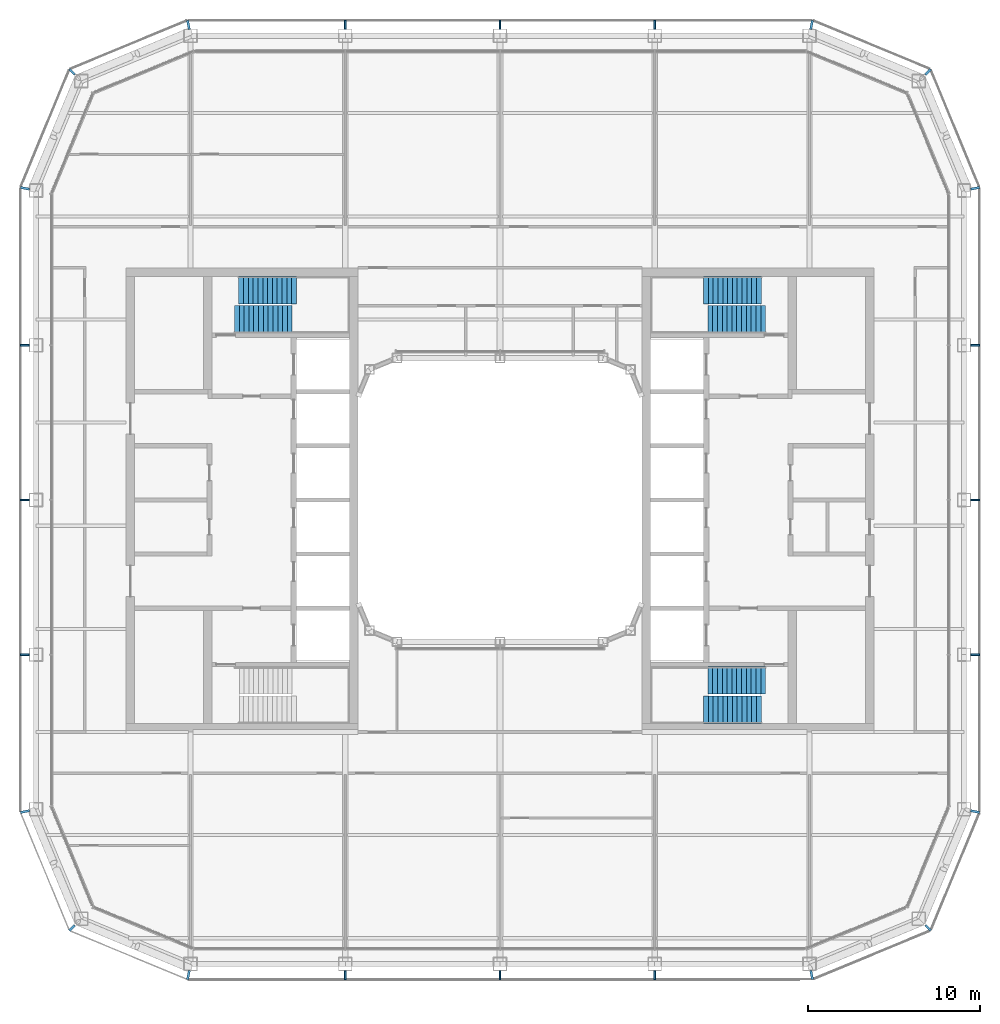
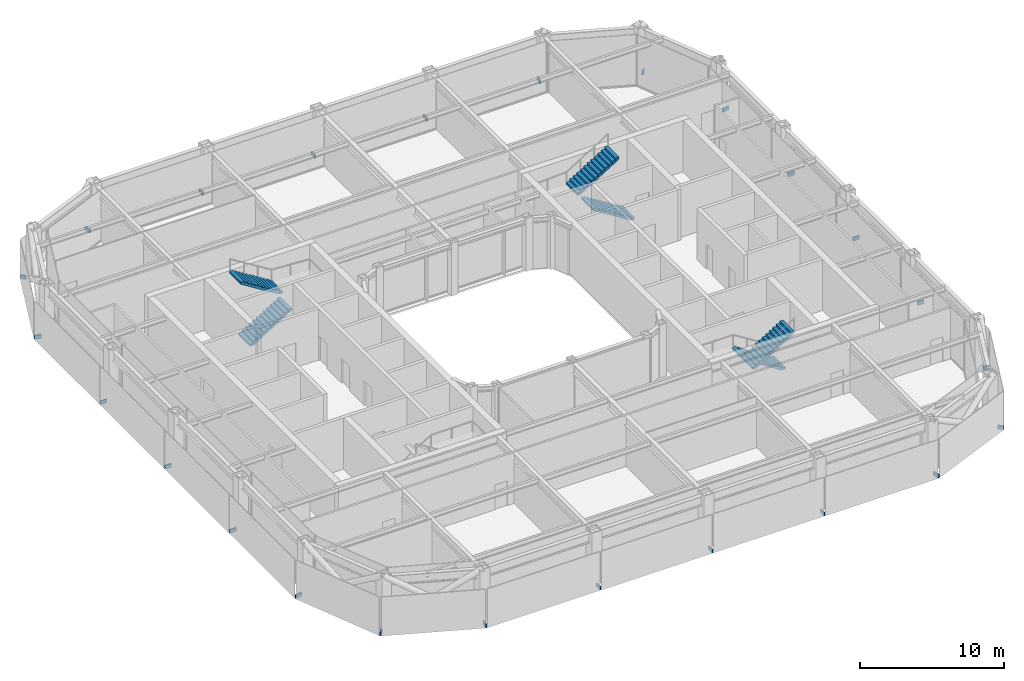
# One storey, part 15 of 19: 24 discrete accessories, 6 stair flights, 3 elements without a shape of their own.
"""IFC4 building model written with IfcOpenShell, lengths in metres."""

from ifc_helpers import new_model, si_unit, direction, frame, origin, origin_2d, place, context, subcontext, project, spatial, polyline, rectangle, outline, extrude, material, type_object, element, aggregate, save


model = new_model("IFC4")

# Units and contexts
model_context = context("Model", 3, precision=1e-05, world=origin(), true_north=direction((0.0, 1.0)))
body_context = subcontext(model_context, "Body", "Model", "MODEL_VIEW")
ifc_project = project(units=[si_unit("LENGTHUNIT", "METRE"), si_unit("AREAUNIT", "SQUARE_METRE"), si_unit("VOLUMEUNIT", "CUBIC_METRE"), si_unit("PLANEANGLEUNIT", "RADIAN"), si_unit("MASSUNIT", "GRAM", prefix="KILO")], contexts=[model_context])

# Site, building, storey
site_placement = place(None, origin())
site = spatial("IfcSite", under=ifc_project, at=site_placement, CompositionType="ELEMENT")
building_placement = place(site_placement, origin())
building = spatial("IfcBuilding", under=site, at=building_placement, Name="Siwar Civic Tower", CompositionType="ELEMENT")
storey_placement = place(building_placement, frame((0.0, 0.0, 246.699951171875)))
storey = spatial("IfcBuildingStorey", under=building, at=storey_placement, Name="L53", CompositionType="ELEMENT", Elevation=246.699951171875)

# Stair, stair flights
ifc_material_1 = material(Name="Concrete C40/50", Category="concrete")
stair_type = type_object("IfcStairType", Name="CORE-STAIR", PredefinedType="TWO_STRAIGHT_RUN_STAIR", material=ifc_material_1)
stair_1_placement = place(storey_placement, origin())
stair_1 = element("IfcStair", 1, at=stair_1_placement, inside=storey, type_object=stair_type, Name="Exit stair ST1", PredefinedType="TWO_STRAIGHT_RUN_STAIR")
ifc_material_2 = material(Name="Concrete C40/50", Category="concrete")
stair_flight_type = type_object("IfcStairFlightType", Name="CORE-STAIR-FLIGHT", PredefinedType="STRAIGHT", material=ifc_material_2)
stair_flight_1_placement = place(storey_placement, frame((-15.449951171875, 10.5, 0.0), z_axis=(0.0, 0.0, 1.0), x_axis=(1.0, 0.0, 0.0)))
stair_flight_1 = element("IfcStairFlight", 2, at=stair_flight_1_placement, type_object=stair_flight_type, Name="ST1 flight 1", NumberOfRisers=13, NumberOfTreads=12, PredefinedType="STRAIGHT", RiserHeight=0.173076923, TreadLength=0.28, context=body_context, shape_type="SweptSolid", body=[
    extrude(outline(polyline([(0.0, 0.0), (0.0, 0.173095703125), (0.280029296875, 0.173095703125), (0.280029296875, 0.34619140625), (0.56005859375, 0.34619140625), (0.56005859375, 0.519287109375), (0.840087890625, 0.519287109375), (0.840087890625, 0.6923828125), (1.1201171875, 0.6923828125), (1.1201171875, 0.865478515625), (1.39990234375, 0.865478515625), (1.39990234375, 1.03857421875), (1.679931640625, 1.03857421875), (1.679931640625, 1.21142578125), (1.9599609375, 1.21142578125), (1.9599609375, 1.384521484375), (2.239990234375, 1.384521484375), (2.239990234375, 1.5576171875), (2.52001953125, 1.5576171875), (2.52001953125, 1.730712890625), (2.800048828125, 1.730712890625), (2.800048828125, 1.90380859375), (3.080078125, 1.90380859375), (3.080078125, 2.076904296875), (3.360107421875, 2.076904296875), (3.360107421875, 2.25), (3.360107421875, 1.900634765625), (0.28515625, 0.0), (0.0, 0.0)])), frame((0.0, 0.800048828125, 0.0), z_axis=(0.0, -1.0, 0.0), x_axis=(1.0, 0.0, 0.0)), (0.0, 0.0, 1.0), 1.60009765625),
])
stair_flight_2_placement = place(storey_placement, frame((-11.840087890625, 12.199951171875, 2.25), z_axis=(0.0, 0.0, 1.0), x_axis=(-1.0, 0.0, 0.0)))
stair_flight_2 = element("IfcStairFlight", 3, at=stair_flight_2_placement, type_object=stair_flight_type, Name="ST1 flight 2", NumberOfRisers=13, NumberOfTreads=12, PredefinedType="STRAIGHT", RiserHeight=0.173076923, TreadLength=0.28, context=body_context, shape_type="SweptSolid", body=[
    extrude(outline(polyline([(0.0, 0.0), (0.0, 0.173095703125), (0.280029296875, 0.173095703125), (0.280029296875, 0.34619140625), (0.56005859375, 0.34619140625), (0.56005859375, 0.519287109375), (0.840087890625, 0.519287109375), (0.840087890625, 0.6923828125), (1.1201171875, 0.6923828125), (1.1201171875, 0.865478515625), (1.39990234375, 0.865478515625), (1.39990234375, 1.03857421875), (1.679931640625, 1.03857421875), (1.679931640625, 1.21142578125), (1.9599609375, 1.21142578125), (1.9599609375, 1.384521484375), (2.239990234375, 1.384521484375), (2.239990234375, 1.5576171875), (2.52001953125, 1.5576171875), (2.52001953125, 1.730712890625), (2.800048828125, 1.730712890625), (2.800048828125, 1.90380859375), (3.080078125, 1.90380859375), (3.080078125, 2.076904296875), (3.360107421875, 2.076904296875), (3.360107421875, 2.25), (3.360107421875, 1.900634765625), (0.28515625, 0.0), (0.0, 0.0)])), frame((0.0, 0.800048828125, 0.0), z_axis=(0.0, -1.0, 0.0), x_axis=(1.0, 0.0, 0.0)), (0.0, 0.0, 1.0), 1.60009765625),
])
aggregate(stair_1, [stair_flight_1, stair_flight_2])

stair_2_placement = place(storey_placement, origin())
stair_2 = element("IfcStair", 4, at=stair_2_placement, inside=storey, type_object=stair_type, Name="Exit stair ST3", PredefinedType="TWO_STRAIGHT_RUN_STAIR")
stair_flight_3_placement = place(storey_placement, frame((15.449951171875, 10.5, 0.0), z_axis=(0.0, 0.0, 1.0), x_axis=(-1.0, 0.0, 0.0)))
stair_flight_3 = element("IfcStairFlight", 5, at=stair_flight_3_placement, type_object=stair_flight_type, Name="ST3 flight 1", NumberOfRisers=13, NumberOfTreads=12, PredefinedType="STRAIGHT", RiserHeight=0.173076923, TreadLength=0.28, context=body_context, shape_type="SweptSolid", body=[
    extrude(outline(polyline([(0.0, 0.0), (0.0, 0.173095703125), (0.280029296875, 0.173095703125), (0.280029296875, 0.34619140625), (0.56005859375, 0.34619140625), (0.56005859375, 0.519287109375), (0.840087890625, 0.519287109375), (0.840087890625, 0.6923828125), (1.1201171875, 0.6923828125), (1.1201171875, 0.865478515625), (1.39990234375, 0.865478515625), (1.39990234375, 1.03857421875), (1.679931640625, 1.03857421875), (1.679931640625, 1.21142578125), (1.9599609375, 1.21142578125), (1.9599609375, 1.384521484375), (2.239990234375, 1.384521484375), (2.239990234375, 1.5576171875), (2.52001953125, 1.5576171875), (2.52001953125, 1.730712890625), (2.800048828125, 1.730712890625), (2.800048828125, 1.90380859375), (3.080078125, 1.90380859375), (3.080078125, 2.076904296875), (3.360107421875, 2.076904296875), (3.360107421875, 2.25), (3.360107421875, 1.900634765625), (0.28515625, 0.0), (0.0, 0.0)])), frame((0.0, 0.800048828125, 0.0), z_axis=(0.0, -1.0, 0.0), x_axis=(1.0, 0.0, 0.0)), (0.0, 0.0, 1.0), 1.60009765625),
])
stair_flight_4_placement = place(storey_placement, frame((11.840087890625, 12.199951171875, 2.25), z_axis=(0.0, 0.0, 1.0), x_axis=(1.0, 0.0, 0.0)))
stair_flight_4 = element("IfcStairFlight", 6, at=stair_flight_4_placement, type_object=stair_flight_type, Name="ST3 flight 2", NumberOfRisers=13, NumberOfTreads=12, PredefinedType="STRAIGHT", RiserHeight=0.173076923, TreadLength=0.28, context=body_context, shape_type="SweptSolid", body=[
    extrude(outline(polyline([(0.0, 0.0), (0.0, 0.173095703125), (0.280029296875, 0.173095703125), (0.280029296875, 0.34619140625), (0.56005859375, 0.34619140625), (0.56005859375, 0.519287109375), (0.840087890625, 0.519287109375), (0.840087890625, 0.6923828125), (1.1201171875, 0.6923828125), (1.1201171875, 0.865478515625), (1.39990234375, 0.865478515625), (1.39990234375, 1.03857421875), (1.679931640625, 1.03857421875), (1.679931640625, 1.21142578125), (1.9599609375, 1.21142578125), (1.9599609375, 1.384521484375), (2.239990234375, 1.384521484375), (2.239990234375, 1.5576171875), (2.52001953125, 1.5576171875), (2.52001953125, 1.730712890625), (2.800048828125, 1.730712890625), (2.800048828125, 1.90380859375), (3.080078125, 1.90380859375), (3.080078125, 2.076904296875), (3.360107421875, 2.076904296875), (3.360107421875, 2.25), (3.360107421875, 1.900634765625), (0.28515625, 0.0), (0.0, 0.0)])), frame((0.0, 0.800048828125, 0.0), z_axis=(0.0, -1.0, 0.0), x_axis=(1.0, 0.0, 0.0)), (0.0, 0.0, 1.0), 1.60009765625),
])
aggregate(stair_2, [stair_flight_3, stair_flight_4])

stair_3_placement = place(storey_placement, origin())
stair_3 = element("IfcStair", 7, at=stair_3_placement, inside=storey, type_object=stair_type, Name="Exit stair ST4", PredefinedType="TWO_STRAIGHT_RUN_STAIR")
stair_flight_5_placement = place(storey_placement, frame((15.449951171875, -10.5, 0.0), z_axis=(0.0, 0.0, 1.0), x_axis=(-1.0, 0.0, 0.0)))
stair_flight_5 = element("IfcStairFlight", 8, at=stair_flight_5_placement, type_object=stair_flight_type, Name="ST4 flight 1", NumberOfRisers=13, NumberOfTreads=12, PredefinedType="STRAIGHT", RiserHeight=0.173076923, TreadLength=0.28, context=body_context, shape_type="SweptSolid", body=[
    extrude(outline(polyline([(0.0, 0.0), (0.0, 0.173095703125), (0.280029296875, 0.173095703125), (0.280029296875, 0.34619140625), (0.56005859375, 0.34619140625), (0.56005859375, 0.519287109375), (0.840087890625, 0.519287109375), (0.840087890625, 0.6923828125), (1.1201171875, 0.6923828125), (1.1201171875, 0.865478515625), (1.39990234375, 0.865478515625), (1.39990234375, 1.03857421875), (1.679931640625, 1.03857421875), (1.679931640625, 1.21142578125), (1.9599609375, 1.21142578125), (1.9599609375, 1.384521484375), (2.239990234375, 1.384521484375), (2.239990234375, 1.5576171875), (2.52001953125, 1.5576171875), (2.52001953125, 1.730712890625), (2.800048828125, 1.730712890625), (2.800048828125, 1.90380859375), (3.080078125, 1.90380859375), (3.080078125, 2.076904296875), (3.360107421875, 2.076904296875), (3.360107421875, 2.25), (3.360107421875, 1.900634765625), (0.28515625, 0.0), (0.0, 0.0)])), frame((0.0, 0.800048828125, 0.0), z_axis=(0.0, -1.0, 0.0), x_axis=(1.0, 0.0, 0.0)), (0.0, 0.0, 1.0), 1.60009765625),
])
stair_flight_6_placement = place(storey_placement, frame((11.840087890625, -12.199951171875, 2.25), z_axis=(0.0, 0.0, 1.0), x_axis=(1.0, 0.0, 0.0)))
stair_flight_6 = element("IfcStairFlight", 9, at=stair_flight_6_placement, type_object=stair_flight_type, Name="ST4 flight 2", NumberOfRisers=13, NumberOfTreads=12, PredefinedType="STRAIGHT", RiserHeight=0.173076923, TreadLength=0.28, context=body_context, shape_type="SweptSolid", body=[
    extrude(outline(polyline([(0.0, 0.0), (0.0, 0.173095703125), (0.280029296875, 0.173095703125), (0.280029296875, 0.34619140625), (0.56005859375, 0.34619140625), (0.56005859375, 0.519287109375), (0.840087890625, 0.519287109375), (0.840087890625, 0.6923828125), (1.1201171875, 0.6923828125), (1.1201171875, 0.865478515625), (1.39990234375, 0.865478515625), (1.39990234375, 1.03857421875), (1.679931640625, 1.03857421875), (1.679931640625, 1.21142578125), (1.9599609375, 1.21142578125), (1.9599609375, 1.384521484375), (2.239990234375, 1.384521484375), (2.239990234375, 1.5576171875), (2.52001953125, 1.5576171875), (2.52001953125, 1.730712890625), (2.800048828125, 1.730712890625), (2.800048828125, 1.90380859375), (3.080078125, 1.90380859375), (3.080078125, 2.076904296875), (3.360107421875, 2.076904296875), (3.360107421875, 2.25), (3.360107421875, 1.900634765625), (0.28515625, 0.0), (0.0, 0.0)])), frame((0.0, 0.800048828125, 0.0), z_axis=(0.0, -1.0, 0.0), x_axis=(1.0, 0.0, 0.0)), (0.0, 0.0, 1.0), 1.60009765625),
])
aggregate(stair_3, [stair_flight_5, stair_flight_6])

# Discrete accessories
ifc_material_3 = material(Name="Stainless steel 316", Category="steel")
discrete_accessory_type = type_object("IfcDiscreteAccessoryType", Name="ENV-BRACKET", PredefinedType="BRACKET", material=ifc_material_3)
for number, where, z_axis, x_axis, name in (
    (10, (27.639892578125, -9.0, -0.14990234375), (0.0, 0.0, 1.0), (1.0, 0.0, 0.0), "Bracket outer skin joint E-01"),
    (11, (27.639892578125, 0.0, -0.14990234375), (0.0, 0.0, 1.0), (1.0, 0.0, 0.0), "Bracket outer skin joint E-02"),
    (12, (27.639892578125, 9.0, -0.14990234375), (0.0, 0.0, 1.0), (1.0, 0.0, 0.0), "Bracket outer skin joint E-03"),
    (13, (9.0, 27.639892578125, -0.14990234375), (0.0, 0.0, 1.0), (0.0, 1.0, 0.0), "Bracket outer skin joint N-01"),
    (14, (0.0, 27.639892578125, -0.14990234375), (0.0, 0.0, 1.0), (0.0, 1.0, 0.0), "Bracket outer skin joint N-02"),
    (15, (-9.0, 27.639892578125, -0.14990234375), (0.0, 0.0, 1.0), (0.0, 1.0, 0.0), "Bracket outer skin joint N-03"),
    (16, (-9.0, -27.639892578125, -0.14990234375), (0.0, 0.0, 1.0), (0.0, -1.0, 0.0), "Bracket outer skin joint S-01"),
    (17, (0.0, -27.639892578125, -0.14990234375), (0.0, 0.0, 1.0), (0.0, -1.0, 0.0), "Bracket outer skin joint S-02"),
    (18, (9.0, -27.639892578125, -0.14990234375), (0.0, 0.0, 1.0), (0.0, -1.0, 0.0), "Bracket outer skin joint S-03"),
):
    element("IfcDiscreteAccessory", number, at=place(storey_placement, frame(where, z_axis=z_axis, x_axis=x_axis)), inside=storey, type_object=discrete_accessory_type, Name=name, PredefinedType="BRACKET", context=body_context, shape_type="SweptSolid", body=[
        extrude(rectangle(XDim=0.52001953125, YDim=0.10009765625, at=origin_2d()), origin(), (0.0, 0.0, 1.0), 0.300048828125),
    ])
for number, where, z_axis, x_axis, name in (
    (19, (-18.12744140625, -27.64013671875, -0.14990234375), (0.0, 0.0, 1.0), (-0.195090322016, -0.980785280403, 0.0), "Bracket outer skin joint V00"),
    (20, (18.12744140625, -27.64013671875, -0.14990234375), (0.0, 0.0, 1.0), (0.195090322016, -0.980785280403, 0.0), "Bracket outer skin joint V01"),
):
    element("IfcDiscreteAccessory", number, at=place(storey_placement, frame(where, z_axis=z_axis, x_axis=x_axis)), inside=storey, type_object=discrete_accessory_type, Name=name, PredefinedType="BRACKET", context=body_context, shape_type="SweptSolid", body=[
        extrude(rectangle(XDim=0.52978515625, YDim=0.13720703125, at=origin_2d()), origin(), (0.0, 0.0, 1.0), 0.300048828125),
    ])
discrete_accessory_1_placement = place(storey_placement, frame((24.9013671875, -24.9013671875, -0.14990234375), z_axis=(0.0, 0.0, 1.0), x_axis=(0.707106781187, -0.707106781187, 0.0)))
element("IfcDiscreteAccessory", 21, at=discrete_accessory_1_placement, inside=storey, type_object=discrete_accessory_type, Name="Bracket outer skin joint V02", PredefinedType="BRACKET", context=body_context, shape_type="SweptSolid", body=[
    extrude(rectangle(XDim=0.428466796875, YDim=0.12939453125, at=origin_2d()), origin(), (0.0, 0.0, 1.0), 0.300048828125),
])
for number, where, z_axis, x_axis, name in (
    (22, (27.64013671875, -18.12744140625, -0.14990234375), (0.0, 0.0, 1.0), (0.980785280403, -0.195090322016, 0.0), "Bracket outer skin joint V03"),
    (23, (27.64013671875, 18.12744140625, -0.14990234375), (0.0, 0.0, 1.0), (0.980785280403, 0.195090322016, 0.0), "Bracket outer skin joint V04"),
):
    element("IfcDiscreteAccessory", number, at=place(storey_placement, frame(where, z_axis=z_axis, x_axis=x_axis)), inside=storey, type_object=discrete_accessory_type, Name=name, PredefinedType="BRACKET", context=body_context, shape_type="SweptSolid", body=[
        extrude(rectangle(XDim=0.52978515625, YDim=0.13720703125, at=origin_2d()), origin(), (0.0, 0.0, 1.0), 0.300048828125),
    ])
discrete_accessory_2_placement = place(storey_placement, frame((24.9013671875, 24.9013671875, -0.14990234375), z_axis=(0.0, 0.0, 1.0), x_axis=(0.707106781187, 0.707106781187, 0.0)))
element("IfcDiscreteAccessory", 24, at=discrete_accessory_2_placement, inside=storey, type_object=discrete_accessory_type, Name="Bracket outer skin joint V05", PredefinedType="BRACKET", context=body_context, shape_type="SweptSolid", body=[
    extrude(rectangle(XDim=0.428466796875, YDim=0.12939453125, at=origin_2d()), origin(), (0.0, 0.0, 1.0), 0.300048828125),
])
for number, where, z_axis, x_axis, name in (
    (25, (18.12744140625, 27.64013671875, -0.14990234375), (0.0, 0.0, 1.0), (0.195090322016, 0.980785280403, 0.0), "Bracket outer skin joint V06"),
    (26, (-18.12744140625, 27.64013671875, -0.14990234375), (0.0, 0.0, 1.0), (-0.195090322016, 0.980785280403, 0.0), "Bracket outer skin joint V07"),
):
    element("IfcDiscreteAccessory", number, at=place(storey_placement, frame(where, z_axis=z_axis, x_axis=x_axis)), inside=storey, type_object=discrete_accessory_type, Name=name, PredefinedType="BRACKET", context=body_context, shape_type="SweptSolid", body=[
        extrude(rectangle(XDim=0.52978515625, YDim=0.13720703125, at=origin_2d()), origin(), (0.0, 0.0, 1.0), 0.300048828125),
    ])
discrete_accessory_3_placement = place(storey_placement, frame((-24.9013671875, 24.9013671875, -0.14990234375), z_axis=(0.0, 0.0, 1.0), x_axis=(-0.707106781187, 0.707106781187, 0.0)))
element("IfcDiscreteAccessory", 27, at=discrete_accessory_3_placement, inside=storey, type_object=discrete_accessory_type, Name="Bracket outer skin joint V08", PredefinedType="BRACKET", context=body_context, shape_type="SweptSolid", body=[
    extrude(rectangle(XDim=0.428466796875, YDim=0.12939453125, at=origin_2d()), origin(), (0.0, 0.0, 1.0), 0.300048828125),
])
for number, where, z_axis, x_axis, name in (
    (28, (-27.64013671875, 18.12744140625, -0.14990234375), (0.0, 0.0, 1.0), (-0.980785280403, 0.195090322016, 0.0), "Bracket outer skin joint V09"),
    (29, (-27.64013671875, -18.12744140625, -0.14990234375), (0.0, 0.0, 1.0), (-0.980785280403, -0.195090322016, 0.0), "Bracket outer skin joint V10"),
):
    element("IfcDiscreteAccessory", number, at=place(storey_placement, frame(where, z_axis=z_axis, x_axis=x_axis)), inside=storey, type_object=discrete_accessory_type, Name=name, PredefinedType="BRACKET", context=body_context, shape_type="SweptSolid", body=[
        extrude(rectangle(XDim=0.52978515625, YDim=0.13720703125, at=origin_2d()), origin(), (0.0, 0.0, 1.0), 0.300048828125),
    ])
discrete_accessory_4_placement = place(storey_placement, frame((-24.9013671875, -24.9013671875, -0.14990234375), z_axis=(0.0, 0.0, 1.0), x_axis=(-0.707106781187, -0.707106781187, 0.0)))
element("IfcDiscreteAccessory", 30, at=discrete_accessory_4_placement, inside=storey, type_object=discrete_accessory_type, Name="Bracket outer skin joint V11", PredefinedType="BRACKET", context=body_context, shape_type="SweptSolid", body=[
    extrude(rectangle(XDim=0.428466796875, YDim=0.12939453125, at=origin_2d()), origin(), (0.0, 0.0, 1.0), 0.300048828125),
])
for number, where, z_axis, x_axis, name in (
    (31, (-27.639892578125, 9.0, -0.14990234375), (0.0, 0.0, 1.0), (-1.0, 0.0, 0.0), "Bracket outer skin joint W-01"),
    (32, (-27.639892578125, 0.0, -0.14990234375), (0.0, 0.0, 1.0), (-1.0, 0.0, 0.0), "Bracket outer skin joint W-02"),
    (33, (-27.639892578125, -9.0, -0.14990234375), (0.0, 0.0, 1.0), (-1.0, 0.0, 0.0), "Bracket outer skin joint W-03"),
):
    element("IfcDiscreteAccessory", number, at=place(storey_placement, frame(where, z_axis=z_axis, x_axis=x_axis)), inside=storey, type_object=discrete_accessory_type, Name=name, PredefinedType="BRACKET", context=body_context, shape_type="SweptSolid", body=[
        extrude(rectangle(XDim=0.52001953125, YDim=0.10009765625, at=origin_2d()), origin(), (0.0, 0.0, 1.0), 0.300048828125),
    ])

save(model, "model.ifc")
